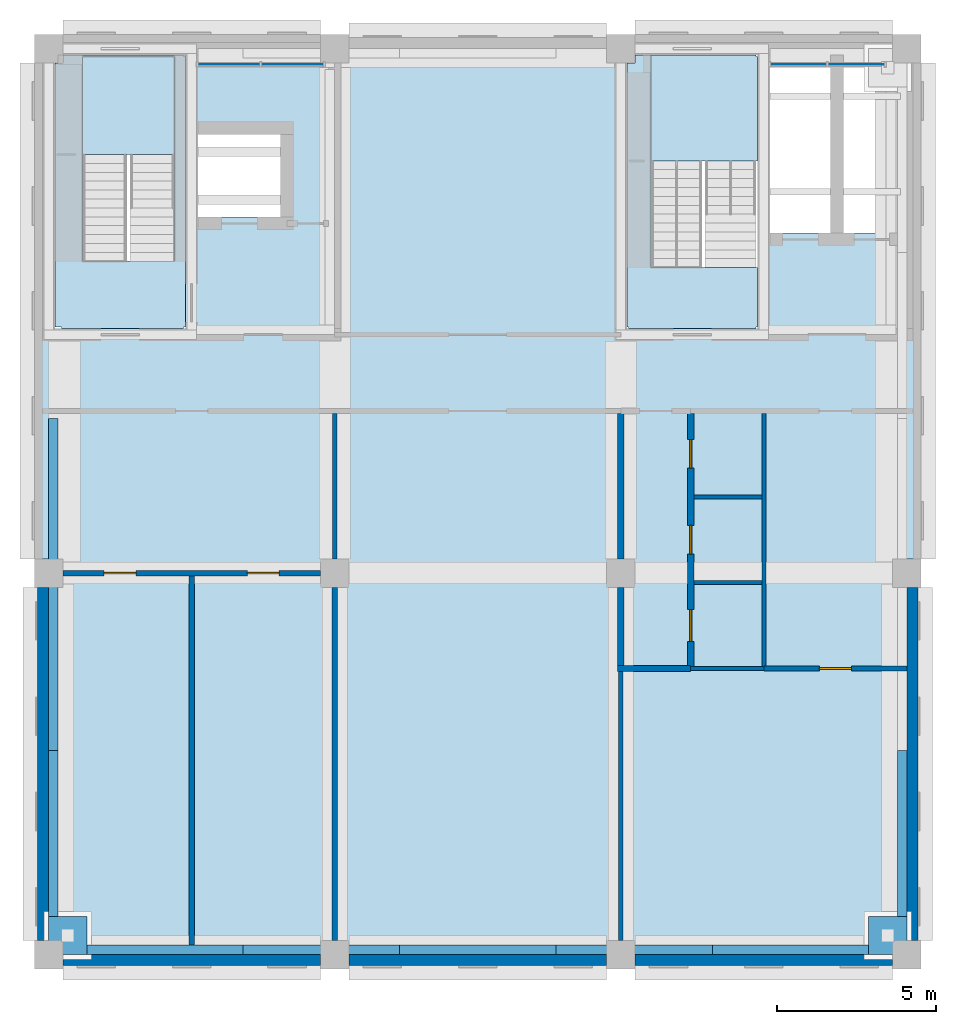
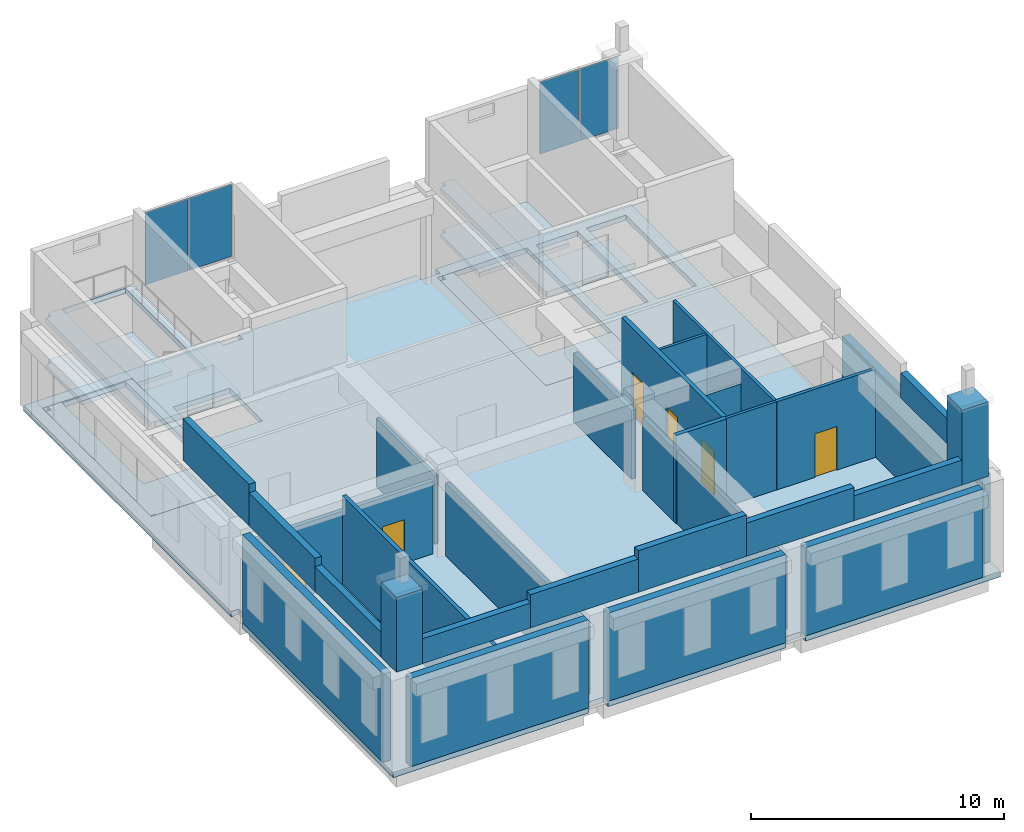
# One storey, part 3 of 6: 30 walls, 7 slabs, 6 doors, 4 plates, 6 openings, 4 elements without a shape of their own.
"""IFC4 building model written with IfcOpenShell, lengths in metres."""

from ifc_helpers import new_model, si_unit, direction, frame, frame_2d, origin, origin_2d, place, context, subcontext, project, spatial, polyline, rectangle, outline, extrude, material, layer, layer_set, type_object, element, fill, aggregate, save


model = new_model("IFC4")

# Units and contexts
model_context = context("Model", 3, precision=1e-05, world=origin(), true_north=direction((0.0, 1.0)))
body_context = subcontext(model_context, "Body", "Model", "MODEL_VIEW")
ifc_project = project(units=[si_unit("LENGTHUNIT", "METRE"), si_unit("AREAUNIT", "SQUARE_METRE"), si_unit("VOLUMEUNIT", "CUBIC_METRE"), si_unit("PLANEANGLEUNIT", "RADIAN"), si_unit("MASSUNIT", "GRAM", prefix="KILO")], contexts=[model_context])

# Site, building, storey
site_placement = place(None, origin())
site = spatial("IfcSite", under=ifc_project, at=site_placement, CompositionType="ELEMENT")
building_placement = place(site_placement, origin())
building = spatial("IfcBuilding", under=site, at=building_placement, Name="Aurelan Courthouse", CompositionType="ELEMENT")
storey_placement = place(building_placement, frame((0.0, 0.0, 57.89990234375)))
storey = spatial("IfcBuildingStorey", under=building, at=storey_placement, Name="L11", CompositionType="ELEMENT", Elevation=57.89990234375)

# Curtain wall, plates
ifc_material_1 = material(Name="Bronze-finished aluminium and glass", Category="aluminium")
ifc_layer_1 = layer(ifc_material_1, 0.14990234375)
ifc_layer_set_1 = layer_set([ifc_layer_1], Name="Bronze-finished aluminium and glass")
curtain_wall_type_1 = type_object("IfcCurtainWallType", Name="Core strip 4050 x 3600", PredefinedType="NOTDEFINED", material=ifc_layer_set_1)
curtain_wall_1_placement = place(storey_placement, origin())
curtain_wall_1 = element("IfcCurtainWall", 1, at=curtain_wall_1_placement, inside=storey, type_object=curtain_wall_type_1, Name="Curtain wall CW-L11-C1N01", PredefinedType="NOTDEFINED")
ifc_material_2 = material(Name="Laminated low-emissivity glass", Category="glass")
ifc_layer_2 = layer(ifc_material_2, 0.028076171875)
ifc_layer_set_2 = layer_set([ifc_layer_2], Name="Laminated low-emissivity glass")
plate_type = type_object("IfcPlateType", Name="Core strip glass panel 28", PredefinedType="CURTAIN_PANEL", material=ifc_layer_set_2)
plate_1_placement = place(storey_placement, frame((5.677490234375, 28.0, 4.56005859375), z_axis=(0.0, 0.0, 1.0), x_axis=(1.0, 0.0, 0.0)))
plate_1 = element("IfcPlate", 2, at=plate_1_placement, type_object=plate_type, Name="CW-L11-C1N01 panel 1.1", PredefinedType="CURTAIN_PANEL", context=body_context, shape_type="SweptSolid", body=[
    extrude(rectangle(XDim=1.93505859375, YDim=0.028076171875, at=origin_2d()), origin(), (0.0, 0.0, 1.0), 3.47998046875),
])
plate_2_placement = place(storey_placement, frame((7.672607421875, 28.0, 4.56005859375), z_axis=(0.0, 0.0, 1.0), x_axis=(1.0, 0.0, 0.0)))
plate_2 = element("IfcPlate", 3, at=plate_2_placement, type_object=plate_type, Name="CW-L11-C1N01 panel 2.1", PredefinedType="CURTAIN_PANEL", context=body_context, shape_type="SweptSolid", body=[
    extrude(rectangle(XDim=1.93505859375, YDim=0.028076171875, at=origin_2d()), origin(), (0.0, 0.0, 1.0), 3.47998046875),
])
aggregate(curtain_wall_1, [plate_1, plate_2])

ifc_layer_3 = layer(ifc_material_1, 0.14990234375)
ifc_layer_set_3 = layer_set([ifc_layer_3], Name="Bronze-finished aluminium and glass")
curtain_wall_type_2 = type_object("IfcCurtainWallType", Name="Core strip 3700 x 3600", PredefinedType="NOTDEFINED", material=ifc_layer_set_3)
curtain_wall_2_placement = place(storey_placement, origin())
curtain_wall_2 = element("IfcCurtainWall", 4, at=curtain_wall_2_placement, inside=storey, type_object=curtain_wall_type_2, Name="Curtain wall CW-L11-C2N01", PredefinedType="NOTDEFINED")
plate_3_placement = place(storey_placement, frame((23.590087890625, 28.0, 4.56005859375), z_axis=(0.0, 0.0, 1.0), x_axis=(1.0, 0.0, 0.0)))
plate_3 = element("IfcPlate", 5, at=plate_3_placement, type_object=plate_type, Name="CW-L11-C2N01 panel 1.1", PredefinedType="CURTAIN_PANEL", context=body_context, shape_type="SweptSolid", body=[
    extrude(rectangle(XDim=1.760009765625, YDim=0.028076171875, at=origin_2d()), origin(), (0.0, 0.0, 1.0), 3.47998046875),
])
plate_4_placement = place(storey_placement, frame((25.409912109375, 28.0, 4.56005859375), z_axis=(0.0, 0.0, 1.0), x_axis=(1.0, 0.0, 0.0)))
plate_4 = element("IfcPlate", 6, at=plate_4_placement, type_object=plate_type, Name="CW-L11-C2N01 panel 2.1", PredefinedType="CURTAIN_PANEL", context=body_context, shape_type="SweptSolid", body=[
    extrude(rectangle(XDim=1.760009765625, YDim=0.028076171875, at=origin_2d()), origin(), (0.0, 0.0, 1.0), 3.47998046875),
])
aggregate(curtain_wall_2, [plate_3, plate_4])

# Slab
ifc_material_3 = material(Name="Concrete C40", Category="concrete")
ifc_layer_4 = layer(ifc_material_3, 0.25)
ifc_layer_set_4 = layer_set([ifc_layer_4], Name="Concrete C40")
slab_type_1 = type_object("IfcSlabType", Name="PT floor slab 250", PredefinedType="FLOOR", material=ifc_layer_set_4)
slab_1_placement = place(storey_placement, frame((0.0, 0.0, -0.25)))
element("IfcSlab", 7, at=slab_1_placement, inside=storey, type_object=slab_type_1, Name="Floor slab SL-L11-01", PredefinedType="FLOOR", context=body_context, shape_type="SweptSolid", body=[
    extrude(outline(polyline([(0.0, 12.449951171875), (0.0, 11.550048828125), (-0.35009765625, 11.550048828125), (-0.35009765625, 0.449951171875), (-0.35009765625, -0.35009765625), (0.449951171875, -0.35009765625), (8.550048828125, -0.35009765625), (8.550048828125, 0.0), (9.449951171875, 0.0), (9.449951171875, -0.35009765625), (17.550048828125, -0.35009765625), (17.550048828125, 0.0), (18.449951171875, 0.0), (18.449951171875, -0.35009765625), (26.550048828125, -0.35009765625), (27.35009765625, -0.35009765625), (27.35009765625, 0.449951171875), (27.35009765625, 11.550048828125), (27.0, 11.550048828125), (27.0, 12.449951171875), (27.35009765625, 12.449951171875), (27.35009765625, 28.050048828125), (27.35009765625, 28.85009765625), (26.550048828125, 28.85009765625), (18.449951171875, 28.85009765625), (18.449951171875, 28.5), (17.550048828125, 28.5), (17.550048828125, 28.85009765625), (9.449951171875, 28.85009765625), (9.449951171875, 28.5), (8.550048828125, 28.5), (8.550048828125, 28.85009765625), (0.449951171875, 28.85009765625), (-0.35009765625, 28.85009765625), (-0.35009765625, 28.050048828125), (-0.35009765625, 12.449951171875), (0.0, 12.449951171875)]), holes=[polyline([(26.800048828125, 28.300048828125), (26.800048828125, 22.699951171875), (25.0, 22.699951171875), (25.0, 28.300048828125), (26.800048828125, 28.300048828125)]), polyline([(22.699951171875, 28.300048828125), (24.60009765625, 28.300048828125), (24.60009765625, 22.699951171875), (22.699951171875, 22.699951171875), (22.699951171875, 28.300048828125)]), polyline([(22.300048828125, 28.300048828125), (22.300048828125, 19.699951171875), (18.199951171875, 19.699951171875), (18.199951171875, 28.300048828125), (22.300048828125, 28.300048828125)]), polyline([(4.699951171875, 23.199951171875), (4.699951171875, 25.800048828125), (7.300048828125, 25.800048828125), (7.300048828125, 23.199951171875), (4.699951171875, 23.199951171875)]), polyline([(4.300048828125, 19.699951171875), (0.199951171875, 19.699951171875), (0.199951171875, 28.300048828125), (4.300048828125, 28.300048828125), (4.300048828125, 19.699951171875)])]), origin(), (0.0, 0.0, 1.0), 0.25),
])

# Stair, slab
ifc_material_4 = material(Name="Concrete C30", Category="concrete")
stair_type_1 = type_object("IfcStairType", Name="Half-turn stair 1600 wide 26 risers", PredefinedType="HALF_TURN_STAIR", material=ifc_material_4)
stair_1_placement = place(storey_placement, origin())
stair_1 = element("IfcStair", 8, at=stair_1_placement, inside=storey, type_object=stair_type_1, Name="Stair ST-5A-L11", PredefinedType="HALF_TURN_STAIR")
ifc_layer_5 = layer(ifc_material_4, 0.25)
ifc_layer_set_5 = layer_set([ifc_layer_5], Name="Concrete C30")
slab_type_2 = type_object("IfcSlabType", Name="Stair floor landing 250 thick", PredefinedType="LANDING", material=ifc_layer_set_5)
slab_2_placement = place(storey_placement, frame((0.0, 0.0, -0.25)))
slab_2 = element("IfcSlab", 9, at=slab_2_placement, type_object=slab_type_2, Name="Stair ST-5A-L11 floor landing", PredefinedType="LANDING", context=body_context, shape_type="SweptSolid", body=[
    extrude(outline(polyline([(22.300048828125, 21.611083984375), (22.300048828125, 19.75), (22.25, 19.75), (22.25, 19.699951171875), (18.25, 19.699951171875), (18.25, 19.75), (18.199951171875, 19.75), (18.199951171875, 28.050048828125), (18.449951171875, 28.050048828125), (18.449951171875, 28.300048828125), (18.949951171875, 28.300048828125), (18.949951171875, 28.25), (18.949951171875, 28.239990234375), (18.949951171875, 21.611083984375), (20.64990234375, 21.611083984375), (22.239990234375, 21.611083984375), (22.25, 21.611083984375), (22.300048828125, 21.611083984375)])), origin(), (0.0, 0.0, 1.0), 0.25),
])

# Slab
slab_3_placement = place(storey_placement, frame((0.0, 0.0, 4.25)))
element("IfcSlab", 10, at=slab_3_placement, inside=storey, type_object=slab_type_2, Name="Stair ST-5A head landing", PredefinedType="LANDING", context=body_context, shape_type="SweptSolid", body=[
    extrude(outline(polyline([(22.300048828125, 21.611083984375), (22.300048828125, 19.75), (22.25, 19.75), (22.25, 19.699951171875), (18.25, 19.699951171875), (18.25, 19.75), (18.199951171875, 19.75), (18.199951171875, 28.050048828125), (18.449951171875, 28.050048828125), (18.449951171875, 28.300048828125), (18.949951171875, 28.300048828125), (18.949951171875, 28.25), (18.949951171875, 28.239990234375), (18.949951171875, 21.611083984375), (20.64990234375, 21.611083984375), (22.239990234375, 21.611083984375), (22.25, 21.611083984375), (22.300048828125, 21.611083984375)])), origin(), (0.0, 0.0, 1.0), 0.25),
])

# Stair, slab
stair_type_2 = type_object("IfcStairType", Name="Half-turn stair 1400 wide 26 risers", PredefinedType="HALF_TURN_STAIR", material=ifc_material_4)
stair_2_placement = place(storey_placement, origin())
stair_2 = element("IfcStair", 11, at=stair_2_placement, inside=storey, type_object=stair_type_2, Name="Stair ST-5B-L11", PredefinedType="HALF_TURN_STAIR")
slab_4_placement = place(storey_placement, frame((0.0, 0.0, -0.25)))
slab_4 = element("IfcSlab", 12, at=slab_4_placement, type_object=slab_type_2, Name="Stair ST-5B-L11 floor landing", PredefinedType="LANDING", context=body_context, shape_type="SweptSolid", body=[
    extrude(outline(polyline([(0.39990234375, 19.699951171875), (0.39990234375, 19.75), (0.199951171875, 19.75), (0.199951171875, 28.050048828125), (0.449951171875, 28.050048828125), (0.449951171875, 28.300048828125), (4.25, 28.300048828125), (4.25, 28.25), (4.300048828125, 28.25), (4.300048828125, 19.75), (4.25, 19.75), (4.25, 19.699951171875), (0.39990234375, 19.699951171875)]), holes=[polyline([(3.9599609375, 21.81103515625), (3.9599609375, 28.239990234375), (1.06005859375, 28.239990234375), (1.06005859375, 21.81103515625), (2.56005859375, 21.81103515625), (3.9599609375, 21.81103515625)])]), origin(), (0.0, 0.0, 1.0), 0.25),
])

# Slab
slab_5_placement = place(storey_placement, frame((0.0, 0.0, 4.25)))
element("IfcSlab", 13, at=slab_5_placement, inside=storey, type_object=slab_type_2, Name="Stair ST-5B head landing", PredefinedType="LANDING", context=body_context, shape_type="SweptSolid", body=[
    extrude(outline(polyline([(0.39990234375, 19.699951171875), (0.39990234375, 19.75), (0.199951171875, 19.75), (0.199951171875, 28.050048828125), (0.449951171875, 28.050048828125), (0.449951171875, 28.300048828125), (4.25, 28.300048828125), (4.25, 28.25), (4.300048828125, 28.25), (4.300048828125, 19.75), (4.25, 19.75), (4.25, 19.699951171875), (0.39990234375, 19.699951171875)]), holes=[polyline([(3.9599609375, 21.81103515625), (3.9599609375, 28.239990234375), (1.06005859375, 28.239990234375), (1.06005859375, 21.81103515625), (2.56005859375, 21.81103515625), (3.9599609375, 21.81103515625)])]), origin(), (0.0, 0.0, 1.0), 0.25),
])

ifc_layer_6 = layer(ifc_material_4, 0.199951171875)
ifc_layer_set_6 = layer_set([ifc_layer_6], Name="Concrete C30")
slab_type_3 = type_object("IfcSlabType", Name="Stair half landing 200 thick", PredefinedType="LANDING", material=ifc_layer_set_6)
slab_6_placement = place(storey_placement, frame((0.0, 0.0, 2.050048828125)))
slab_6 = element("IfcSlab", 14, at=slab_6_placement, type_object=slab_type_3, Name="Stair ST-5A-L11 half landing", PredefinedType="LANDING", context=body_context, shape_type="SweptSolid", body=[
    extrude(outline(polyline([(22.300048828125, 24.969970703125), (18.199951171875, 24.969970703125), (18.199951171875, 28.050048828125), (18.449951171875, 28.050048828125), (18.449951171875, 28.300048828125), (22.25, 28.300048828125), (22.25, 28.25), (22.300048828125, 28.25), (22.300048828125, 24.969970703125)])), origin(), (0.0, 0.0, 1.0), 0.199951171875),
])

aggregate(stair_1, [slab_6, slab_2])

slab_7_placement = place(storey_placement, frame((0.0, 0.0, 2.050048828125)))
slab_7 = element("IfcSlab", 15, at=slab_7_placement, type_object=slab_type_3, Name="Stair ST-5B-L11 half landing", PredefinedType="LANDING", context=body_context, shape_type="SweptSolid", body=[
    extrude(outline(polyline([(4.300048828125, 25.169921875), (0.199951171875, 25.169921875), (0.199951171875, 28.050048828125), (0.449951171875, 28.050048828125), (0.449951171875, 28.300048828125), (4.25, 28.300048828125), (4.25, 28.25), (4.300048828125, 28.25), (4.300048828125, 25.169921875)])), origin(), (0.0, 0.0, 1.0), 0.199951171875),
])

aggregate(stair_2, [slab_7, slab_4])

# Walls
ifc_material_5 = material(Name="Limestone cladding", Category="masonry")
ifc_layer_7 = layer(ifc_material_5, 0.300048828125)
ifc_layer_set_7 = layer_set([ifc_layer_7], Name="Limestone cladding")
wall_type_1 = type_object("IfcWallType", Name="CR5 crown parapet 300 x 1200", PredefinedType="PARAPET", material=ifc_layer_set_7)
for number, where, z_axis, x_axis, name in (
    (16, (1.199951171875, 0.14990234375, 4.5), (0.0, 0.0, 1.0), (1.0, 0.0, 0.0), "Crown parapet CR5-PA01"),
    (17, (20.8798828125, 0.14990234375, 4.5), (0.0, 0.0, 1.0), (1.0, 0.0, 0.0), "Crown parapet CR5-PA05"),
):
    element("IfcWall", number, at=place(storey_placement, frame(where, z_axis=z_axis, x_axis=x_axis)), inside=storey, type_object=wall_type_1, Name=name, PredefinedType="PARAPET", context=body_context, shape_type="SweptSolid", body=[
        extrude(rectangle(XDim=4.920166015625, YDim=0.300048828125, at=frame_2d((2.4599609375, 0.0))), origin(), (0.0, 0.0, 1.0), 1.2001953125),
    ])
for number, where, z_axis, x_axis, name in (
    (18, (0.14990234375, 1.199951171875, 4.5), (0.0, 0.0, 1.0), (0.0, 1.0, 0.0), "Crown parapet CR5-PA11"),
    (19, (26.85009765625, 1.199951171875, 4.5), (0.0, 0.0, 1.0), (0.0, 1.0, 0.0), "Crown parapet CR5-PA16"),
):
    element("IfcWall", number, at=place(storey_placement, frame(where, z_axis=z_axis, x_axis=x_axis)), inside=storey, type_object=wall_type_1, Name=name, PredefinedType="PARAPET", context=body_context, shape_type="SweptSolid", body=[
        extrude(rectangle(XDim=5.219970703125, YDim=0.300048828125, at=frame_2d((2.60986328125, 0.0))), origin(), (0.0, 0.0, 1.0), 1.2001953125),
    ])
ifc_layer_8 = layer(ifc_material_5, 0.300048828125)
ifc_layer_set_8 = layer_set([ifc_layer_8], Name="Limestone cladding")
wall_type_2 = type_object("IfcWallType", Name="CR5 crown parapet 300 x 1600", PredefinedType="PARAPET", material=ifc_layer_set_8)
for number, where, z_axis, x_axis, name in (
    (20, (6.1201171875, 0.14990234375, 4.5), (0.0, 0.0, 1.0), (1.0, 0.0, 0.0), "Crown parapet CR5-PA02"),
    (21, (15.9599609375, 0.14990234375, 4.5), (0.0, 0.0, 1.0), (1.0, 0.0, 0.0), "Crown parapet CR5-PA04"),
):
    element("IfcWall", number, at=place(storey_placement, frame(where, z_axis=z_axis, x_axis=x_axis)), inside=storey, type_object=wall_type_2, Name=name, PredefinedType="PARAPET", context=body_context, shape_type="SweptSolid", body=[
        extrude(rectangle(XDim=4.919921875, YDim=0.300048828125, at=frame_2d((2.4599609375, 0.0))), origin(), (0.0, 0.0, 1.0), 1.60009765625),
    ])
wall_1_placement = place(storey_placement, frame((0.14990234375, 6.419921875, 4.5), z_axis=(0.0, 0.0, 1.0), x_axis=(0.0, 1.0, 0.0)))
element("IfcWall", 22, at=wall_1_placement, inside=storey, type_object=wall_type_2, Name="Crown parapet CR5-PA12", PredefinedType="PARAPET", context=body_context, shape_type="SweptSolid", body=[
    extrude(rectangle(XDim=5.219970703125, YDim=0.300048828125, at=frame_2d((2.60986328125, 0.0))), origin(), (0.0, 0.0, 1.0), 1.60009765625),
])
ifc_layer_9 = layer(ifc_material_5, 0.300048828125)
ifc_layer_set_9 = layer_set([ifc_layer_9], Name="Limestone cladding")
wall_type_3 = type_object("IfcWallType", Name="CR5 crown parapet 300 x 2000", PredefinedType="PARAPET", material=ifc_layer_set_9)
wall_2_placement = place(storey_placement, frame((11.0400390625, 0.14990234375, 4.5), z_axis=(0.0, 0.0, 1.0), x_axis=(1.0, 0.0, 0.0)))
element("IfcWall", 23, at=wall_2_placement, inside=storey, type_object=wall_type_3, Name="Crown parapet CR5-PA03", PredefinedType="PARAPET", context=body_context, shape_type="SweptSolid", body=[
    extrude(rectangle(XDim=4.919921875, YDim=0.300048828125, at=frame_2d((2.4599609375, 0.0))), origin(), (0.0, 0.0, 1.0), 2.0),
])
wall_3_placement = place(storey_placement, frame((0.14990234375, 11.639892578125, 4.5), z_axis=(0.0, 0.0, 1.0), x_axis=(0.0, 1.0, 0.0)))
element("IfcWall", 24, at=wall_3_placement, inside=storey, type_object=wall_type_3, Name="Crown parapet CR5-PA13", PredefinedType="PARAPET", context=body_context, shape_type="SweptSolid", body=[
    extrude(rectangle(XDim=5.22021484375, YDim=0.300048828125, at=frame_2d((2.610107421875, 0.0))), origin(), (0.0, 0.0, 1.0), 2.0),
])

# Wall, openings, doors
ifc_material_6 = material(Name="Gypsum board on metal studs")
ifc_layer_10 = layer(ifc_material_6, 0.175048828125)
ifc_layer_set_10 = layer_set([ifc_layer_10], Name="Gypsum board on metal studs")
wall_type_4 = type_object("IfcWallType", Name="Chambers acoustic partition 175 NOT RATED", PredefinedType="PARTITIONING", material=ifc_layer_set_10)
wall_4_placement = place(storey_placement, frame((0.449951171875, 12.0, 0.0), z_axis=(0.0, 0.0, 1.0), x_axis=(1.0, 0.0, 0.0)))
wall_4 = element("IfcWall", 25, at=wall_4_placement, inside=storey, type_object=wall_type_4, Name="Chambers acoustic partition L11-005", PredefinedType="PARTITIONING", context=body_context, shape_type="SweptSolid", body=[
    extrude(rectangle(XDim=8.10009765625, YDim=0.175048828125, at=frame_2d((4.050048828125, 0.0))), origin(), (0.0, 0.0, 1.0), 3.5),
])
opening_1_placement = place(wall_4_placement, frame((1.300048828125, 0.0, 0.0)))
opening_1 = element("IfcOpeningElement", 26, at=opening_1_placement, cuts=wall_4, Name="Opening D-L11-011", PredefinedType="OPENING", context=body_context, shape_type="SweptSolid", body=[
    extrude(rectangle(XDim=1.0, YDim=2.10009765625, at=frame_2d((0.5, 1.050048828125))), frame((0.0, 0.097412109375, 0.0), z_axis=(0.0, -1.0, 0.0), x_axis=(1.0, 0.0, 0.0)), (0.0, 0.0, 1.0), 0.195068359375),
])
opening_2_placement = place(wall_4_placement, frame((5.800048828125, 0.0, 0.0)))
opening_2 = element("IfcOpeningElement", 27, at=opening_2_placement, cuts=wall_4, Name="Opening D-L11-012", PredefinedType="OPENING", context=body_context, shape_type="SweptSolid", body=[
    extrude(rectangle(XDim=1.0, YDim=2.10009765625, at=frame_2d((0.5, 1.050048828125))), frame((0.0, 0.097412109375, 0.0), z_axis=(0.0, -1.0, 0.0), x_axis=(1.0, 0.0, 0.0)), (0.0, 0.0, 1.0), 0.195068359375),
])
ifc_material_7 = material(Name="Timber", Category="wood")
door_type_1 = type_object("IfcDoorType", Name="Single door 1000 x 2100 NOT RATED", OperationType="SINGLE_SWING_LEFT", PredefinedType="DOOR", material=ifc_material_7)
door_1_placement = place(opening_1_placement, origin())
door_1 = element("IfcDoor", 28, at=door_1_placement, inside=storey, type_object=door_type_1, Name="Single door D-L11-011", OperationType="SINGLE_SWING_LEFT", OverallHeight=2.10009765625, OverallWidth=1.0, PredefinedType="DOOR", context=body_context, shape_type="SweptSolid", body=[
    extrude(rectangle(XDim=1.0, YDim=2.10009765625, at=frame_2d((0.5, 1.050048828125))), frame((0.0, 0.02490234375, 0.0), z_axis=(0.0, -1.0, 0.0), x_axis=(1.0, 0.0, 0.0)), (0.0, 0.0, 1.0), 0.050048828125),
])
fill(opening_1, door_1)
door_2_placement = place(opening_2_placement, origin())
door_2 = element("IfcDoor", 29, at=door_2_placement, inside=storey, type_object=door_type_1, Name="Single door D-L11-012", OperationType="SINGLE_SWING_RIGHT", OverallHeight=2.10009765625, OverallWidth=1.0, PredefinedType="DOOR", context=body_context, shape_type="SweptSolid", body=[
    extrude(rectangle(XDim=1.0, YDim=2.10009765625, at=frame_2d((0.5, 1.050048828125))), frame((0.0, 0.02490234375, 0.0), z_axis=(0.0, -1.0, 0.0), x_axis=(1.0, 0.0, 0.0)), (0.0, 0.0, 1.0), 0.050048828125),
])
fill(opening_2, door_2)

# Walls
wall_5_placement = place(storey_placement, frame((4.5, 0.0, 0.0), z_axis=(0.0, 0.0, 1.0), x_axis=(0.0, 1.0, 0.0)))
element("IfcWall", 30, at=wall_5_placement, inside=storey, type_object=wall_type_4, Name="Chambers acoustic partition L11-012", PredefinedType="PARTITIONING", context=body_context, shape_type="SweptSolid", body=[
    extrude(rectangle(XDim=11.91259765625, YDim=0.175048828125, at=frame_2d((5.956298828125, 0.0))), origin(), (0.0, 0.0, 1.0), 4.25),
])
wall_6_placement = place(storey_placement, frame((9.0, 0.449951171875, 0.0), z_axis=(0.0, 0.0, 1.0), x_axis=(0.0, 1.0, 0.0)))
element("IfcWall", 31, at=wall_6_placement, inside=storey, type_object=wall_type_4, Name="Chambers acoustic partition L11-013", PredefinedType="PARTITIONING", context=body_context, shape_type="SweptSolid", body=[
    extrude(rectangle(XDim=11.10009765625, YDim=0.175048828125, at=frame_2d((5.550048828125, 0.0))), origin(), (0.0, 0.0, 1.0), 3.5),
])
ifc_layer_11 = layer(ifc_material_5, 0.10009765625, Name="Facing")
ifc_material_8 = material(Name="Ventilated cavity")
ifc_layer_12 = layer(ifc_material_8, 0.02490234375, ventilated=True, Name="Ventilated cavity")
ifc_material_9 = material(Name="Mineral wool insulation")
ifc_layer_13 = layer(ifc_material_9, 0.050048828125, Name="Insulation")
ifc_layer_14 = layer(ifc_material_4, 0.175048828125, Name="Structure")
ifc_layer_set_11 = layer_set([ifc_layer_11, ifc_layer_12, ifc_layer_13, ifc_layer_14], Name="Concrete C30")
wall_type_5 = type_object("IfcWallType", Name="Courts' Floors stone-faced wall 350", PredefinedType="SOLIDWALL", material=ifc_layer_set_11)
for number, where, z_axis, x_axis, name in (
    (32, (0.449951171875, -0.175048828125, 0.0), (0.0, 0.0, 1.0), (1.0, 0.0, 0.0), "Facade wall FW-V5-L11-001"),
    (33, (9.449951171875, -0.175048828125, 0.0), (0.0, 0.0, 1.0), (1.0, 0.0, 0.0), "Facade wall FW-V5-L11-002"),
    (34, (18.449951171875, -0.175048828125, 0.0), (0.0, 0.0, 1.0), (1.0, 0.0, 0.0), "Facade wall FW-V5-L11-003"),
):
    element("IfcWall", number, at=place(storey_placement, frame(where, z_axis=z_axis, x_axis=x_axis)), inside=storey, type_object=wall_type_5, Name=name, PredefinedType="SOLIDWALL", context=body_context, shape_type="SweptSolid", body=[
        extrude(rectangle(XDim=8.10009765625, YDim=0.35009765625, at=frame_2d((4.050048828125, 0.0))), origin(), (0.0, 0.0, 1.0), 4.25),
    ])
for number, where, z_axis, x_axis, name in (
    (35, (27.175048828125, 0.449951171875, 0.0), (0.0, 0.0, 1.0), (0.0, 1.0, 0.0), "Facade wall FW-V5-L11-007"),
    (36, (-0.175048828125, 0.449951171875, 0.0), (0.0, 0.0, 1.0), (0.0, 1.0, 0.0), "Facade wall FW-V5-L11-009"),
):
    element("IfcWall", number, at=place(storey_placement, frame(where, z_axis=z_axis, x_axis=x_axis)), inside=storey, type_object=wall_type_5, Name=name, PredefinedType="SOLIDWALL", context=body_context, shape_type="SweptSolid", body=[
        extrude(rectangle(XDim=11.10009765625, YDim=0.35009765625, at=frame_2d((5.550048828125, 0.0))), origin(), (0.0, 0.0, 1.0), 4.25),
    ])
ifc_layer_15 = layer(ifc_material_5, 1.199951171875)
ifc_layer_set_12 = layer_set([ifc_layer_15], Name="Limestone cladding")
wall_type_6 = type_object("IfcWallType", Name="Crown pylon 1200 x 3600", PredefinedType="SOLIDWALL", material=ifc_layer_set_12)
for number, where, z_axis, x_axis, name in (
    (37, (0.0, 0.60009765625, 4.5), (0.0, 0.0, 1.0), (1.0, 0.0, 0.0), "Crown pylon CR5-PY-SW"),
    (38, (25.800048828125, 0.60009765625, 4.5), (0.0, 0.0, 1.0), (1.0, 0.0, 0.0), "Crown pylon CR5-PY-SE"),
):
    element("IfcWall", number, at=place(storey_placement, frame(where, z_axis=z_axis, x_axis=x_axis)), inside=storey, type_object=wall_type_6, Name=name, PredefinedType="SOLIDWALL", context=body_context, shape_type="SweptSolid", body=[
        extrude(rectangle(XDim=1.199951171875, YDim=1.199951171875, at=frame_2d((0.60009765625, 0.0))), origin(), (0.0, 0.0, 1.0), 3.60009765625),
    ])
ifc_material_10 = material(Name="Masonry block", Category="masonry")
ifc_layer_16 = layer(ifc_material_10, 0.199951171875)
ifc_layer_set_13 = layer_set([ifc_layer_16], Name="Masonry block")
wall_type_7 = type_object("IfcWallType", Name="Lift lobby wall 200 EI 60", PredefinedType="PARTITIONING", material=ifc_layer_set_13)
wall_7_placement = place(storey_placement, frame((17.89990234375, 9.0, 0.0), z_axis=(0.0, 0.0, 1.0), x_axis=(1.0, 0.0, 0.0)))
element("IfcWall", 39, at=wall_7_placement, inside=storey, type_object=wall_type_7, Name="Lift lobby wall L11-001", PredefinedType="PARTITIONING", context=body_context, shape_type="SweptSolid", body=[
    extrude(rectangle(XDim=2.300048828125, YDim=0.199951171875, at=frame_2d((1.14990234375, 0.0))), origin(), (0.0, 0.0, 1.0), 4.25),
])
wall_8_placement = place(storey_placement, frame((18.0, 9.0, 0.0), z_axis=(0.0, 0.0, 1.0), x_axis=(0.0, 1.0, 0.0)))
element("IfcWall", 40, at=wall_8_placement, inside=storey, type_object=wall_type_7, Name="Lift lobby wall L11-016", PredefinedType="PARTITIONING", context=body_context, shape_type="SweptSolid", body=[
    extrude(rectangle(XDim=2.550048828125, YDim=0.199951171875, at=frame_2d((1.27490234375, 0.0))), origin(), (0.0, 0.0, 1.0), 3.5),
])
wall_9_placement = place(storey_placement, frame((18.0, 12.449951171875, 0.0), z_axis=(0.0, 0.0, 1.0), x_axis=(0.0, 1.0, 0.0)))
element("IfcWall", 41, at=wall_9_placement, inside=storey, type_object=wall_type_7, Name="Lift lobby wall L11-017", PredefinedType="PARTITIONING", context=body_context, shape_type="SweptSolid", body=[
    extrude(rectangle(XDim=4.574951171875, YDim=0.199951171875, at=frame_2d((2.28759765625, 0.0))), origin(), (0.0, 0.0, 1.0), 3.300048828125),
])

# Wall, openings, doors
wall_10_placement = place(storey_placement, frame((20.199951171875, 9.0625, 0.0), z_axis=(0.0, 0.0, 1.0), x_axis=(0.0, 1.0, 0.0)))
wall_10 = element("IfcWall", 42, at=wall_10_placement, inside=storey, type_object=wall_type_7, Name="Lift lobby wall L11-018", PredefinedType="PARTITIONING", context=body_context, shape_type="SweptSolid", body=[
    extrude(rectangle(XDim=7.96240234375, YDim=0.199951171875, at=frame_2d((3.981201171875, 0.0))), origin(), (0.0, 0.0, 1.0), 4.25),
])
opening_3_placement = place(wall_10_placement, frame((7.137451171875, 0.0, 0.0), z_axis=(0.0, 0.0, 1.0), x_axis=(-1.0, 0.0, 0.0)))
opening_3 = element("IfcOpeningElement", 43, at=opening_3_placement, cuts=wall_10, Name="Opening D-L11-018", PredefinedType="OPENING", context=body_context, shape_type="SweptSolid", body=[
    extrude(rectangle(XDim=0.89990234375, YDim=2.10009765625, at=frame_2d((0.449951171875, 1.050048828125))), frame((0.0, 0.10986328125, 0.0), z_axis=(0.0, -1.0, 0.0), x_axis=(1.0, 0.0, 0.0)), (0.0, 0.0, 1.0), 0.219970703125),
])
opening_4_placement = place(wall_10_placement, frame((4.4375, 0.0, 0.0), z_axis=(0.0, 0.0, 1.0), x_axis=(-1.0, 0.0, 0.0)))
opening_4 = element("IfcOpeningElement", 44, at=opening_4_placement, cuts=wall_10, Name="Opening D-L11-019", PredefinedType="OPENING", context=body_context, shape_type="SweptSolid", body=[
    extrude(rectangle(XDim=0.89990234375, YDim=2.10009765625, at=frame_2d((0.449951171875, 1.050048828125))), frame((0.0, 0.10986328125, 0.0), z_axis=(0.0, -1.0, 0.0), x_axis=(1.0, 0.0, 0.0)), (0.0, 0.0, 1.0), 0.219970703125),
])
opening_5_placement = place(wall_10_placement, frame((1.78759765625, 0.0, 0.0), z_axis=(0.0, 0.0, 1.0), x_axis=(-1.0, 0.0, 0.0)))
opening_5 = element("IfcOpeningElement", 45, at=opening_5_placement, cuts=wall_10, Name="Opening D-L11-020", PredefinedType="OPENING", context=body_context, shape_type="SweptSolid", body=[
    extrude(rectangle(XDim=1.0, YDim=2.10009765625, at=frame_2d((0.5, 1.050048828125))), frame((0.0, 0.10986328125, 0.0), z_axis=(0.0, -1.0, 0.0), x_axis=(1.0, 0.0, 0.0)), (0.0, 0.0, 1.0), 0.219970703125),
])
ifc_material_11 = material(Name="Steel", Category="steel")
door_type_2 = type_object("IfcDoorType", Name="Single door 1000 x 2100 FD60", OperationType="SINGLE_SWING_LEFT", PredefinedType="DOOR", material=ifc_material_11)
door_3_placement = place(opening_5_placement, origin())
door_3 = element("IfcDoor", 46, at=door_3_placement, inside=storey, type_object=door_type_2, Name="Single door D-L11-020", OperationType="SINGLE_SWING_RIGHT", OverallHeight=2.10009765625, OverallWidth=1.0, PredefinedType="DOOR", context=body_context, shape_type="SweptSolid", body=[
    extrude(rectangle(XDim=1.0, YDim=2.10009765625, at=frame_2d((0.5, 1.050048828125))), frame((0.0, 0.02490234375, 0.0), z_axis=(0.0, -1.0, 0.0), x_axis=(1.0, 0.0, 0.0)), (0.0, 0.0, 1.0), 0.050048828125),
])
fill(opening_5, door_3)
door_type_3 = type_object("IfcDoorType", Name="Single door 900 x 2100 FD60", OperationType="SINGLE_SWING_LEFT", PredefinedType="DOOR", material=ifc_material_11)
door_4_placement = place(opening_3_placement, origin())
door_4 = element("IfcDoor", 47, at=door_4_placement, inside=storey, type_object=door_type_3, Name="Single door D-L11-018", OperationType="SINGLE_SWING_RIGHT", OverallHeight=2.10009765625, OverallWidth=0.89990234375, PredefinedType="DOOR", context=body_context, shape_type="SweptSolid", body=[
    extrude(rectangle(XDim=0.89990234375, YDim=2.10009765625, at=frame_2d((0.449951171875, 1.050048828125))), frame((0.0, 0.02490234375, 0.0), z_axis=(0.0, -1.0, 0.0), x_axis=(1.0, 0.0, 0.0)), (0.0, 0.0, 1.0), 0.050048828125),
])
fill(opening_3, door_4)
door_5_placement = place(opening_4_placement, origin())
door_5 = element("IfcDoor", 48, at=door_5_placement, inside=storey, type_object=door_type_3, Name="Single door D-L11-019", OperationType="SINGLE_SWING_LEFT", OverallHeight=2.10009765625, OverallWidth=0.89990234375, PredefinedType="DOOR", context=body_context, shape_type="SweptSolid", body=[
    extrude(rectangle(XDim=0.89990234375, YDim=2.10009765625, at=frame_2d((0.449951171875, 1.050048828125))), frame((0.0, 0.02490234375, 0.0), z_axis=(0.0, -1.0, 0.0), x_axis=(1.0, 0.0, 0.0)), (0.0, 0.0, 1.0), 0.050048828125),
])
fill(opening_4, door_5)

# Wall, opening, door
ifc_layer_17 = layer(ifc_material_6, 0.14990234375)
ifc_layer_set_14 = layer_set([ifc_layer_17], Name="Gypsum board on metal studs")
wall_type_8 = type_object("IfcWallType", Name="Partition 150 NOT RATED", PredefinedType="PARTITIONING", material=ifc_layer_set_14)
wall_11_placement = place(storey_placement, frame((22.5, 9.0, 0.0), z_axis=(0.0, 0.0, 1.0), x_axis=(1.0, 0.0, 0.0)))
wall_11 = element("IfcWall", 49, at=wall_11_placement, inside=storey, type_object=wall_type_8, Name="Partition L11-003", PredefinedType="PARTITIONING", context=body_context, shape_type="SweptSolid", body=[
    extrude(rectangle(XDim=4.5, YDim=0.14990234375, at=frame_2d((2.25, 0.0))), origin(), (0.0, 0.0, 1.0), 4.25),
])
opening_6_placement = place(wall_11_placement, frame((2.75, 0.0, 0.0), z_axis=(0.0, 0.0, 1.0), x_axis=(-1.0, 0.0, 0.0)))
opening_6 = element("IfcOpeningElement", 50, at=opening_6_placement, cuts=wall_11, Name="Opening D-L11-017", PredefinedType="OPENING", context=body_context, shape_type="SweptSolid", body=[
    extrude(rectangle(XDim=1.0, YDim=2.10009765625, at=frame_2d((0.5, 1.050048828125))), frame((0.0, 0.0849609375, 0.0), z_axis=(0.0, -1.0, 0.0), x_axis=(1.0, 0.0, 0.0)), (0.0, 0.0, 1.0), 0.169921875),
])
door_6_placement = place(opening_6_placement, origin())
door_6 = element("IfcDoor", 51, at=door_6_placement, inside=storey, type_object=door_type_1, Name="Single door D-L11-017", OperationType="SINGLE_SWING_LEFT", OverallHeight=2.10009765625, OverallWidth=1.0, PredefinedType="DOOR", context=body_context, shape_type="SweptSolid", body=[
    extrude(rectangle(XDim=1.0, YDim=2.10009765625, at=frame_2d((0.5, 1.050048828125))), frame((0.0, 0.02490234375, 0.0), z_axis=(0.0, -1.0, 0.0), x_axis=(1.0, 0.0, 0.0)), (0.0, 0.0, 1.0), 0.050048828125),
])
fill(opening_6, door_6)

# Walls
wall_12_placement = place(storey_placement, frame((9.0, 12.449951171875, 0.0), z_axis=(0.0, 0.0, 1.0), x_axis=(0.0, 1.0, 0.0)))
element("IfcWall", 52, at=wall_12_placement, inside=storey, type_object=wall_type_8, Name="Partition L11-014", PredefinedType="PARTITIONING", context=body_context, shape_type="SweptSolid", body=[
    extrude(rectangle(XDim=4.574951171875, YDim=0.14990234375, at=frame_2d((2.28759765625, 0.0))), origin(), (0.0, 0.0, 1.0), 3.300048828125),
])
wall_13_placement = place(storey_placement, frame((18.0, 0.449951171875, 0.0), z_axis=(0.0, 0.0, 1.0), x_axis=(0.0, 1.0, 0.0)))
element("IfcWall", 53, at=wall_13_placement, inside=storey, type_object=wall_type_8, Name="Partition L11-015", PredefinedType="PARTITIONING", context=body_context, shape_type="SweptSolid", body=[
    extrude(rectangle(XDim=8.550048828125, YDim=0.14990234375, at=frame_2d((4.27490234375, 0.0))), origin(), (0.0, 0.0, 1.0), 3.5),
])
ifc_material_12 = material(Name="Moisture-resistant board on metal studs")
ifc_layer_18 = layer(ifc_material_12, 0.125)
ifc_layer_set_15 = layer_set([ifc_layer_18], Name="Moisture-resistant board on metal studs")
wall_type_9 = type_object("IfcWallType", Name="Wet-area partition 125 NOT RATED", PredefinedType="PARTITIONING", material=ifc_layer_set_15)
wall_14_placement = place(storey_placement, frame((20.199951171875, 9.0, 0.0), z_axis=(0.0, 0.0, 1.0), x_axis=(1.0, 0.0, 0.0)))
element("IfcWall", 54, at=wall_14_placement, inside=storey, type_object=wall_type_9, Name="Wet-area partition L11-002", PredefinedType="PARTITIONING", context=body_context, shape_type="SweptSolid", body=[
    extrude(rectangle(XDim=2.300048828125, YDim=0.125, at=frame_2d((1.14990234375, 0.0))), origin(), (0.0, 0.0, 1.0), 4.25),
])
wall_15_placement = place(storey_placement, frame((20.300048828125, 11.699951171875, 0.0), z_axis=(0.0, 0.0, 1.0), x_axis=(1.0, 0.0, 0.0)))
element("IfcWall", 55, at=wall_15_placement, inside=storey, type_object=wall_type_9, Name="Wet-area partition L11-004", PredefinedType="PARTITIONING", context=body_context, shape_type="SweptSolid", body=[
    extrude(rectangle(XDim=2.137451171875, YDim=0.125, at=frame_2d((1.06884765625, 0.0))), origin(), (0.0, 0.0, 1.0), 3.5),
])
wall_16_placement = place(storey_placement, frame((20.300048828125, 14.39990234375, 0.0), z_axis=(0.0, 0.0, 1.0), x_axis=(1.0, 0.0, 0.0)))
element("IfcWall", 56, at=wall_16_placement, inside=storey, type_object=wall_type_9, Name="Wet-area partition L11-006", PredefinedType="PARTITIONING", context=body_context, shape_type="SweptSolid", body=[
    extrude(rectangle(XDim=2.137451171875, YDim=0.125, at=frame_2d((1.06884765625, 0.0))), origin(), (0.0, 0.0, 1.0), 4.25),
])
wall_17_placement = place(storey_placement, frame((22.5, 9.0625, 0.0), z_axis=(0.0, 0.0, 1.0), x_axis=(0.0, 1.0, 0.0)))
element("IfcWall", 57, at=wall_17_placement, inside=storey, type_object=wall_type_9, Name="Wet-area partition L11-019", PredefinedType="PARTITIONING", context=body_context, shape_type="SweptSolid", body=[
    extrude(rectangle(XDim=7.96240234375, YDim=0.125, at=frame_2d((3.981201171875, 0.0))), origin(), (0.0, 0.0, 1.0), 4.25),
])

save(model, "model.ifc")
